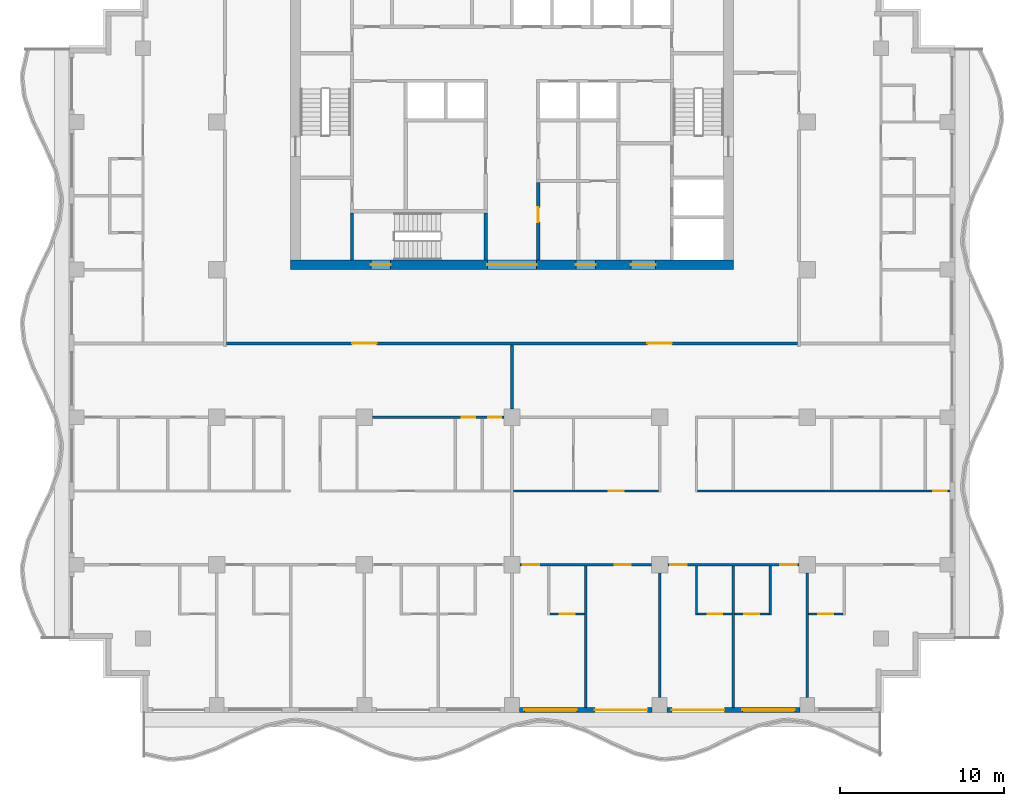
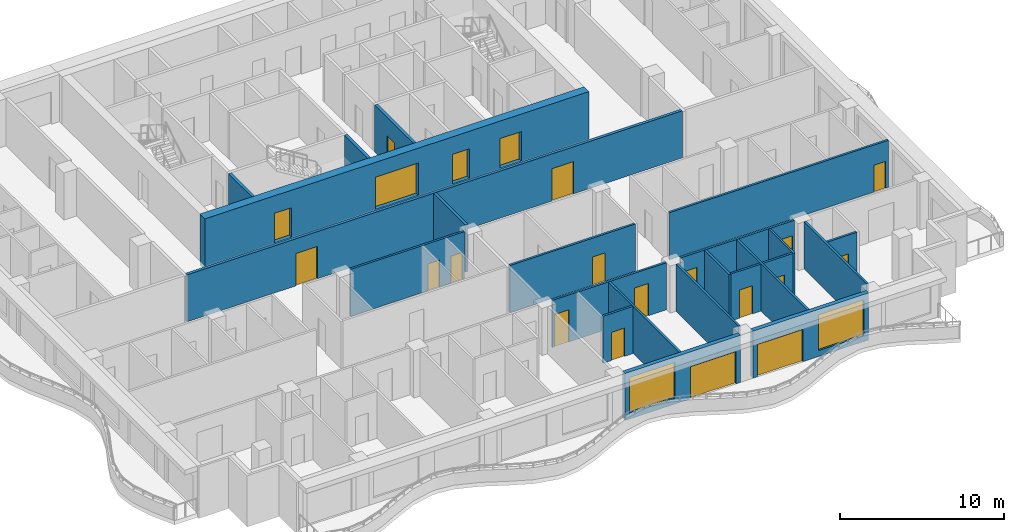
# One storey, part 3 of 11: 23 walls, 21 doors, 2 windows, 23 openings.
"""IFC4 building model written with IfcOpenShell, lengths in metres."""

from ifc_helpers import new_model, si_unit, direction, frame, frame_2d, origin, place, context, subcontext, project, spatial, rectangle, extrude, material, layer, layer_set, type_object, element, fill, save


model = new_model("IFC4")

# Units and contexts
model_context = context("Model", 3, precision=1e-05, world=origin(), true_north=direction((0.0, 1.0)))
body_context = subcontext(model_context, "Body", "Model", "MODEL_VIEW")
ifc_project = project(units=[si_unit("LENGTHUNIT", "METRE"), si_unit("AREAUNIT", "SQUARE_METRE"), si_unit("VOLUMEUNIT", "CUBIC_METRE"), si_unit("PLANEANGLEUNIT", "RADIAN"), si_unit("MASSUNIT", "GRAM", prefix="KILO")], contexts=[model_context])

# Site, building, storey
site_placement = place(None, origin())
site = spatial("IfcSite", under=ifc_project, at=site_placement, CompositionType="ELEMENT")
building_placement = place(site_placement, origin())
building = spatial("IfcBuilding", under=site, at=building_placement, Name="Orbiselva Terraces", CompositionType="ELEMENT")
storey_placement = place(building_placement, frame((0.0, 0.0, 246.4)))
storey = spatial("IfcBuildingStorey", under=building, at=storey_placement, Name="L62", CompositionType="ELEMENT", Elevation=246.4)

# Wall, openings, doors
ifc_material_1 = material(Name="Concrete C80/95", Category="concrete")
ifc_layer_1 = layer(ifc_material_1, 0.6)
ifc_layer_set_1 = layer_set([ifc_layer_1], Name="Concrete C80/95")
wall_type_1 = type_object("IfcWallType", Name="CORE WALL 600", PredefinedType="SHEAR", material=ifc_layer_set_1)
wall_1_placement = place(storey_placement, frame((-13.5, 4.8, -0.3), z_axis=(0.0, 0.0, 1.0), x_axis=(1.0, 0.0, 0.0)))
wall_1 = element("IfcWall", 1, at=wall_1_placement, inside=storey, type_object=wall_type_1, Name="Core wall L62 south", PredefinedType="SHEAR", context=body_context, shape_type="SweptSolid", body=[
    extrude(rectangle(XDim=27.0, YDim=0.6, at=frame_2d((13.5, 0.0))), origin(), (0.0, 0.0, 1.0), 3.8),
])
opening_1_placement = place(wall_1_placement, frame((12.0, 0.0, 0.3)))
opening_1 = element("IfcOpeningElement", 2, at=opening_1_placement, cuts=wall_1, Name="Opening DL3000", PredefinedType="OPENING", context=body_context, shape_type="SweptSolid", body=[
    extrude(rectangle(XDim=3.0, YDim=2.4, at=frame_2d((1.5, 1.2))), frame((0.0, 0.31, 0.0), z_axis=(0.0, -1.0, 0.0), x_axis=(1.0, 0.0, 0.0)), (0.0, 0.0, 1.0), 0.62),
])
opening_2_placement = place(wall_1_placement, frame((4.9, 0.0, 0.3)))
opening_2 = element("IfcOpeningElement", 3, at=opening_2_placement, cuts=wall_1, Name="Opening DS1200", PredefinedType="OPENING", context=body_context, shape_type="SweptSolid", body=[
    extrude(rectangle(XDim=1.2, YDim=2.2, at=frame_2d((0.6, 1.1))), frame((0.0, 0.31, 0.0), z_axis=(0.0, -1.0, 0.0), x_axis=(1.0, 0.0, 0.0)), (0.0, 0.0, 1.0), 0.62),
])
opening_3_placement = place(wall_1_placement, frame((20.75, 0.0, 0.3)))
opening_3 = element("IfcOpeningElement", 4, at=opening_3_placement, cuts=wall_1, Name="Opening DF1500", PredefinedType="OPENING", context=body_context, shape_type="SweptSolid", body=[
    extrude(rectangle(XDim=1.5, YDim=2.2, at=frame_2d((0.75, 1.1))), frame((0.0, 0.31, 0.0), z_axis=(0.0, -1.0, 0.0), x_axis=(1.0, 0.0, 0.0)), (0.0, 0.0, 1.0), 0.62),
])
opening_4_placement = place(wall_1_placement, frame((17.4, 0.0, 0.3)))
opening_4 = element("IfcOpeningElement", 5, at=opening_4_placement, cuts=wall_1, Name="Opening DV1200", PredefinedType="OPENING", context=body_context, shape_type="SweptSolid", body=[
    extrude(rectangle(XDim=1.2, YDim=2.2, at=frame_2d((0.6, 1.1))), frame((0.0, 0.31, 0.0), z_axis=(0.0, -1.0, 0.0), x_axis=(1.0, 0.0, 0.0)), (0.0, 0.0, 1.0), 0.62),
])
ifc_material_2 = material(Name="Steel fire door", Category="steel")
door_type_1 = type_object("IfcDoorType", Name="FFL DOOR 1500", OperationType="DOUBLE_DOOR_SINGLE_SWING", PredefinedType="DOOR", material=ifc_material_2)
door_1_placement = place(opening_3_placement, frame((1.5, 0.0, 0.0), z_axis=(0.0, 0.0, 1.0), x_axis=(-1.0, 0.0, 0.0)))
door_1 = element("IfcDoor", 6, at=door_1_placement, inside=storey, type_object=door_type_1, Name="L62 FIRE-FIGHTING LOBBY door", OperationType="DOUBLE_DOOR_SINGLE_SWING", OverallHeight=2.2, OverallWidth=1.5, PredefinedType="DOOR", context=body_context, shape_type="SweptSolid", body=[
    extrude(rectangle(XDim=1.5, YDim=2.2, at=frame_2d((0.75, 1.1))), frame((0.0, 0.025, 0.0), z_axis=(0.0, -1.0, 0.0), x_axis=(1.0, 0.0, 0.0)), (0.0, 0.0, 1.0), 0.05),
])
fill(opening_3, door_1)
door_type_2 = type_object("IfcDoorType", Name="LOBBY DOOR 3000", OperationType="DOUBLE_DOOR_SINGLE_SWING", PredefinedType="DOOR", material=ifc_material_2)
door_2_placement = place(opening_1_placement, frame((3.0, 0.0, 0.0), z_axis=(0.0, 0.0, 1.0), x_axis=(-1.0, 0.0, 0.0)))
door_2 = element("IfcDoor", 7, at=door_2_placement, inside=storey, type_object=door_type_2, Name="L62 LIFT LOBBY door", OperationType="DOUBLE_DOOR_SINGLE_SWING", OverallHeight=2.4, OverallWidth=3.0, PredefinedType="DOOR", context=body_context, shape_type="SweptSolid", body=[
    extrude(rectangle(XDim=3.0, YDim=2.4, at=frame_2d((1.5, 1.2))), frame((0.0, 0.025, 0.0), z_axis=(0.0, -1.0, 0.0), x_axis=(1.0, 0.0, 0.0)), (0.0, 0.0, 1.0), 0.05),
])
fill(opening_1, door_2)
door_type_3 = type_object("IfcDoorType", Name="SERVICE DOOR 1200", OperationType="NOTDEFINED", PredefinedType="DOOR", material=ifc_material_2)
door_3_placement = place(opening_4_placement, frame((1.2, 0.0, 0.0), z_axis=(0.0, 0.0, 1.0), x_axis=(-1.0, 0.0, 0.0)))
door_3 = element("IfcDoor", 8, at=door_3_placement, inside=storey, type_object=door_type_3, Name="L62 SPARE PARTS STORE door", OperationType="SINGLE_SWING_RIGHT", OverallHeight=2.2, OverallWidth=1.2, PredefinedType="DOOR", context=body_context, shape_type="SweptSolid", body=[
    extrude(rectangle(XDim=1.2, YDim=2.2, at=frame_2d((0.6, 1.1))), frame((0.0, 0.025, 0.0), z_axis=(0.0, -1.0, 0.0), x_axis=(1.0, 0.0, 0.0)), (0.0, 0.0, 1.0), 0.05),
])
fill(opening_4, door_3)
door_type_4 = type_object("IfcDoorType", Name="STAIR DOOR 1200", OperationType="NOTDEFINED", PredefinedType="DOOR", material=ifc_material_2)
door_4_placement = place(opening_2_placement, frame((1.2, 0.0, 0.0), z_axis=(0.0, 0.0, 1.0), x_axis=(-1.0, 0.0, 0.0)))
door_4 = element("IfcDoor", 9, at=door_4_placement, inside=storey, type_object=door_type_4, Name="L62 EXIT STAIR S3 door", OperationType="SINGLE_SWING_LEFT", OverallHeight=2.2, OverallWidth=1.2, PredefinedType="DOOR", context=body_context, shape_type="SweptSolid", body=[
    extrude(rectangle(XDim=1.2, YDim=2.2, at=frame_2d((0.6, 1.1))), frame((0.0, 0.025, 0.0), z_axis=(0.0, -1.0, 0.0), x_axis=(1.0, 0.0, 0.0)), (0.0, 0.0, 1.0), 0.05),
])
fill(opening_2, door_4)

# Walls
ifc_material_3 = material(Name="Concrete C60/75", Category="concrete")
ifc_layer_2 = layer(ifc_material_3, 0.2)
ifc_layer_set_2 = layer_set([ifc_layer_2], Name="Concrete C60/75")
wall_type_2 = type_object("IfcWallType", Name="CORE-WALL-SHEAR-200", PredefinedType="SHEAR", material=ifc_layer_set_2)
for number, where, z_axis, x_axis, name in (
    (10, (-9.75, 5.1, 0.0), (0.0, 0.0, 1.0), (0.0, 1.0, 0.0), "L62 core wall 03"),
    (11, (-1.6, 5.1, 0.0), (0.0, 0.0, 1.0), (0.0, 1.0, 0.0), "L62 core wall 18"),
):
    element("IfcWall", number, at=place(storey_placement, frame(where, z_axis=z_axis, x_axis=x_axis)), inside=storey, type_object=wall_type_2, Name=name, PredefinedType="SHEAR", context=body_context, shape_type="SweptSolid", body=[
        extrude(rectangle(XDim=2.85, YDim=0.2, at=frame_2d((1.425, 0.0))), origin(), (0.0, 0.0, 1.0), 3.5),
    ])

# Wall, opening, door
wall_2_placement = place(storey_placement, frame((1.6, 9.8, 0.0), z_axis=(0.0, 0.0, 1.0), x_axis=(0.0, -1.0, 0.0)))
wall_2 = element("IfcWall", 12, at=wall_2_placement, inside=storey, type_object=wall_type_2, Name="L62 core wall 22", PredefinedType="SHEAR", context=body_context, shape_type="SweptSolid", body=[
    extrude(rectangle(XDim=4.7, YDim=0.2, at=frame_2d((2.35, 0.0))), origin(), (0.0, 0.0, 1.0), 3.5),
])
opening_5_placement = place(wall_2_placement, frame((1.5, 0.0, 0.0)))
opening_5 = element("IfcOpeningElement", 13, at=opening_5_placement, cuts=wall_2, Name="Opening DR900", PredefinedType="OPENING", context=body_context, shape_type="SweptSolid", body=[
    extrude(rectangle(XDim=0.9, YDim=2.1, at=frame_2d((0.45, 1.05))), frame((0.0, 0.11, 0.0), z_axis=(0.0, -1.0, 0.0), x_axis=(1.0, 0.0, 0.0)), (0.0, 0.0, 1.0), 0.22),
])
door_type_5 = type_object("IfcDoorType", Name="ROOM DOOR 900", OperationType="NOTDEFINED", PredefinedType="DOOR", material=ifc_material_2)
door_5_placement = place(opening_5_placement, origin())
door_5 = element("IfcDoor", 14, at=door_5_placement, inside=storey, type_object=door_type_5, Name="L62 ELECTRICAL ROOM door", OperationType="SINGLE_SWING_LEFT", OverallHeight=2.1, OverallWidth=0.9, PredefinedType="DOOR", context=body_context, shape_type="SweptSolid", body=[
    extrude(rectangle(XDim=0.9, YDim=2.1, at=frame_2d((0.45, 1.05))), frame((0.0, 0.025, 0.0), z_axis=(0.0, -1.0, 0.0), x_axis=(1.0, 0.0, 0.0)), (0.0, 0.0, 1.0), 0.05),
])
fill(opening_5, door_5)

# Wall, openings, door, window
ifc_material_4 = material(Name="Terracotta cladding on masonry backing", Category="masonry")
ifc_layer_3 = layer(ifc_material_4, 0.3)
ifc_layer_set_3 = layer_set([ifc_layer_3], Name="Terracotta cladding on masonry backing")
wall_type_3 = type_object("IfcWallType", Name="ENV-WALL-TERRACOTTA-300", PredefinedType="SOLIDWALL", material=ifc_layer_set_3)
wall_3_placement = place(storey_placement, frame((8.55, -22.35, 0.0), z_axis=(0.0, 0.0, 1.0), x_axis=(-1.0, 0.0, 0.0)))
wall_3 = element("IfcWall", 15, at=wall_3_placement, inside=storey, type_object=wall_type_3, Name="Facade wall L62 S", PredefinedType="SOLIDWALL", context=body_context, shape_type="SweptSolid", body=[
    extrude(rectangle(XDim=8.1, YDim=0.3, at=frame_2d((4.05, 0.0))), origin(), (0.0, 0.0, 1.0), 3.5),
])
opening_6_placement = place(wall_3_placement, frame((4.6, 0.0, 0.45)))
opening_6 = element("IfcOpeningElement", 16, at=opening_6_placement, cuts=wall_3, Name="Opening WN17", PredefinedType="OPENING", context=body_context, shape_type="SweptSolid", body=[
    extrude(rectangle(XDim=3.2, YDim=2.65, at=frame_2d((1.6, 1.325))), frame((0.0, 0.16, 0.0), z_axis=(0.0, -1.0, 0.0), x_axis=(1.0, 0.0, 0.0)), (0.0, 0.0, 1.0), 0.32),
])
opening_7_placement = place(wall_3_placement, frame((0.3, 0.0, 0.0)))
opening_7 = element("IfcOpeningElement", 17, at=opening_7_placement, cuts=wall_3, Name="Opening Z5-A-E19", PredefinedType="OPENING", context=body_context, shape_type="SweptSolid", body=[
    extrude(rectangle(XDim=3.2, YDim=2.4, at=frame_2d((1.6, 1.2))), frame((0.0, 0.16, 0.0), z_axis=(0.0, -1.0, 0.0), x_axis=(1.0, 0.0, 0.0)), (0.0, 0.0, 1.0), 0.32),
])
ifc_material_5 = material(Name="Clear low-e glazing in aluminium frame", Category="aluminium")
door_type_6 = type_object("IfcDoorType", Name="BALCONY DOOR 3200 X 2400", OperationType="DOUBLE_DOOR_SLIDING", PredefinedType="DOOR", material=ifc_material_5)
door_6_placement = place(opening_7_placement, origin())
door_6 = element("IfcDoor", 18, at=door_6_placement, inside=storey, type_object=door_type_6, Name="Z5-A-E19", OperationType="SINGLE_SWING_LEFT", OverallHeight=2.4, OverallWidth=3.2, PredefinedType="DOOR", context=body_context, shape_type="SweptSolid", body=[
    extrude(rectangle(XDim=3.2, YDim=2.4, at=frame_2d((1.6, 1.2))), frame((0.0, 0.025, 0.0), z_axis=(0.0, -1.0, 0.0), x_axis=(1.0, 0.0, 0.0)), (0.0, 0.0, 1.0), 0.05),
])
fill(opening_7, door_6)
window_type = type_object("IfcWindowType", Name="WINDOW 3200 X 2650 S450", PartitioningType="TRIPLE_PANEL_VERTICAL", PredefinedType="WINDOW", material=ifc_material_5)
window_1_placement = place(opening_6_placement, origin())
window_1 = element("IfcWindow", 19, at=window_1_placement, inside=storey, type_object=window_type, Name="Window L62 S", OverallHeight=2.65, OverallWidth=3.2, PartitioningType="SINGLE_PANEL", PredefinedType="WINDOW", context=body_context, shape_type="SweptSolid", body=[
    extrude(rectangle(XDim=3.2, YDim=2.65, at=frame_2d((1.6, 1.325))), frame((0.0, 0.03, 0.0), z_axis=(0.0, -1.0, 0.0), x_axis=(1.0, 0.0, 0.0)), (0.0, 0.0, 1.0), 0.06),
])
fill(opening_6, window_1)

wall_4_placement = place(storey_placement, frame((17.55, -22.35, 0.0), z_axis=(0.0, 0.0, 1.0), x_axis=(-1.0, 0.0, 0.0)))
wall_4 = element("IfcWall", 20, at=wall_4_placement, inside=storey, type_object=wall_type_3, Name="Facade wall L62 S", PredefinedType="SOLIDWALL", context=body_context, shape_type="SweptSolid", body=[
    extrude(rectangle(XDim=8.1, YDim=0.3, at=frame_2d((4.05, 0.0))), origin(), (0.0, 0.0, 1.0), 3.5),
])
opening_8_placement = place(wall_4_placement, frame((4.6, 0.0, 0.0)))
opening_8 = element("IfcOpeningElement", 21, at=opening_8_placement, cuts=wall_4, Name="Opening Z5-A-E03", PredefinedType="OPENING", context=body_context, shape_type="SweptSolid", body=[
    extrude(rectangle(XDim=3.2, YDim=2.4, at=frame_2d((1.6, 1.2))), frame((0.0, 0.16, 0.0), z_axis=(0.0, -1.0, 0.0), x_axis=(1.0, 0.0, 0.0)), (0.0, 0.0, 1.0), 0.32),
])
opening_9_placement = place(wall_4_placement, frame((0.3, 0.0, 0.45)))
opening_9 = element("IfcOpeningElement", 22, at=opening_9_placement, cuts=wall_4, Name="Opening WN17", PredefinedType="OPENING", context=body_context, shape_type="SweptSolid", body=[
    extrude(rectangle(XDim=3.2, YDim=2.65, at=frame_2d((1.6, 1.325))), frame((0.0, 0.16, 0.0), z_axis=(0.0, -1.0, 0.0), x_axis=(1.0, 0.0, 0.0)), (0.0, 0.0, 1.0), 0.32),
])
door_7_placement = place(opening_8_placement, origin())
door_7 = element("IfcDoor", 23, at=door_7_placement, inside=storey, type_object=door_type_6, Name="Z5-A-E03", OperationType="SINGLE_SWING_LEFT", OverallHeight=2.4, OverallWidth=3.2, PredefinedType="DOOR", context=body_context, shape_type="SweptSolid", body=[
    extrude(rectangle(XDim=3.2, YDim=2.4, at=frame_2d((1.6, 1.2))), frame((0.0, 0.025, 0.0), z_axis=(0.0, -1.0, 0.0), x_axis=(1.0, 0.0, 0.0)), (0.0, 0.0, 1.0), 0.05),
])
fill(opening_8, door_7)
window_2_placement = place(opening_9_placement, origin())
window_2 = element("IfcWindow", 24, at=window_2_placement, inside=storey, type_object=window_type, Name="Window L62 S", OverallHeight=2.65, OverallWidth=3.2, PartitioningType="SINGLE_PANEL", PredefinedType="WINDOW", context=body_context, shape_type="SweptSolid", body=[
    extrude(rectangle(XDim=3.2, YDim=2.65, at=frame_2d((1.6, 1.325))), frame((0.0, 0.03, 0.0), z_axis=(0.0, -1.0, 0.0), x_axis=(1.0, 0.0, 0.0)), (0.0, 0.0, 1.0), 0.06),
])
fill(opening_9, window_2)

# Wall, openings, doors
ifc_material_6 = material(Name="Plasterboard on steel stud partition", Category="steel")
ifc_layer_4 = layer(ifc_material_6, 0.2)
ifc_layer_set_4 = layer_set([ifc_layer_4], Name="Plasterboard on steel stud partition")
wall_type_4 = type_object("IfcWallType", Name="UNIT-ENTRANCE-WALL-200", PredefinedType="PARTITIONING", material=ifc_layer_set_4)
wall_5_placement = place(storey_placement, frame((17.4, 0.0, 0.0), z_axis=(0.0, 0.0, 1.0), x_axis=(-1.0, 0.0, 0.0)))
wall_5 = element("IfcWall", 25, at=wall_5_placement, inside=storey, type_object=wall_type_4, Name="PARTITION L62-026", PredefinedType="PARTITIONING", context=body_context, shape_type="SweptSolid", body=[
    extrude(rectangle(XDim=34.8, YDim=0.2, at=frame_2d((17.4, 0.0))), origin(), (0.0, 0.0, 1.0), 3.5),
])
opening_10_placement = place(wall_5_placement, frame((25.65, 0.0, 0.0)))
opening_10 = element("IfcOpeningElement", 26, at=opening_10_placement, cuts=wall_5, Name="Opening Z5-A-16", PredefinedType="OPENING", context=body_context, shape_type="SweptSolid", body=[
    extrude(rectangle(XDim=1.5, YDim=2.4, at=frame_2d((0.75, 1.2))), frame((0.0, 0.11, 0.0), z_axis=(0.0, -1.0, 0.0), x_axis=(1.0, 0.0, 0.0)), (0.0, 0.0, 1.0), 0.22),
])
opening_11_placement = place(wall_5_placement, frame((7.65, 0.0, 0.0)))
opening_11 = element("IfcOpeningElement", 27, at=opening_11_placement, cuts=wall_5, Name="Opening Z5-A-35", PredefinedType="OPENING", context=body_context, shape_type="SweptSolid", body=[
    extrude(rectangle(XDim=1.5, YDim=2.4, at=frame_2d((0.75, 1.2))), frame((0.0, 0.11, 0.0), z_axis=(0.0, -1.0, 0.0), x_axis=(1.0, 0.0, 0.0)), (0.0, 0.0, 1.0), 0.22),
])
ifc_material_7 = material(Name="Painted timber door leaf", Category="wood")
door_type_7 = type_object("IfcDoorType", Name="ENTRANCE DOUBLE DOOR 1500", OperationType="NOTDEFINED", PredefinedType="DOOR", material=ifc_material_7)
door_8_placement = place(opening_10_placement, origin())
door_8 = element("IfcDoor", 28, at=door_8_placement, inside=storey, type_object=door_type_7, Name="Z5-A-16", OperationType="DOUBLE_DOOR_SINGLE_SWING", OverallHeight=2.4, OverallWidth=1.5, PredefinedType="DOOR", context=body_context, shape_type="SweptSolid", body=[
    extrude(rectangle(XDim=1.5, YDim=2.4, at=frame_2d((0.75, 1.2))), frame((0.0, 0.025, 0.0), z_axis=(0.0, -1.0, 0.0), x_axis=(1.0, 0.0, 0.0)), (0.0, 0.0, 1.0), 0.05),
])
fill(opening_10, door_8)
door_9_placement = place(opening_11_placement, origin())
door_9 = element("IfcDoor", 29, at=door_9_placement, inside=storey, type_object=door_type_7, Name="Z5-A-35", OperationType="DOUBLE_DOOR_SINGLE_SWING", OverallHeight=2.4, OverallWidth=1.5, PredefinedType="DOOR", context=body_context, shape_type="SweptSolid", body=[
    extrude(rectangle(XDim=1.5, YDim=2.4, at=frame_2d((0.75, 1.2))), frame((0.0, 0.025, 0.0), z_axis=(0.0, -1.0, 0.0), x_axis=(1.0, 0.0, 0.0)), (0.0, 0.0, 1.0), 0.05),
])
fill(opening_11, door_9)

# Wall, opening, door
ifc_layer_5 = layer(ifc_material_6, 0.15)
ifc_layer_set_5 = layer_set([ifc_layer_5], Name="Plasterboard on steel stud partition")
wall_type_5 = type_object("IfcWallType", Name="UNIT-PARTITION-150", PredefinedType="PARTITIONING", material=ifc_layer_set_5)
wall_6_placement = place(storey_placement, frame((2.325, -16.5, 0.0), z_axis=(0.0, 0.0, 1.0), x_axis=(1.0, 0.0, 0.0)))
wall_6 = element("IfcWall", 30, at=wall_6_placement, inside=storey, type_object=wall_type_5, Name="PARTITION L62-005", PredefinedType="PARTITIONING", context=body_context, shape_type="SweptSolid", body=[
    extrude(rectangle(XDim=2.1, YDim=0.15, at=frame_2d((1.05, 0.0))), origin(), (0.0, 0.0, 1.0), 3.5),
])
opening_12_placement = place(wall_6_placement, frame((0.6, 0.0, 0.0)))
opening_12 = element("IfcOpeningElement", 31, at=opening_12_placement, cuts=wall_6, Name="Opening Z5-A-51", PredefinedType="OPENING", context=body_context, shape_type="SweptSolid", body=[
    extrude(rectangle(XDim=0.9, YDim=2.1, at=frame_2d((0.45, 1.05))), frame((0.0, 0.085, 0.0), z_axis=(0.0, -1.0, 0.0), x_axis=(1.0, 0.0, 0.0)), (0.0, 0.0, 1.0), 0.17),
])
door_type_8 = type_object("IfcDoorType", Name="BATH DOOR 900", OperationType="NOTDEFINED", PredefinedType="DOOR", material=ifc_material_7)
door_10_placement = place(opening_12_placement, origin())
door_10 = element("IfcDoor", 32, at=door_10_placement, inside=storey, type_object=door_type_8, Name="Z5-A-51", OperationType="SINGLE_SWING_RIGHT", OverallHeight=2.1, OverallWidth=0.9, PredefinedType="DOOR", context=body_context, shape_type="SweptSolid", body=[
    extrude(rectangle(XDim=0.9, YDim=2.1, at=frame_2d((0.45, 1.05))), frame((0.0, 0.025, 0.0), z_axis=(0.0, -1.0, 0.0), x_axis=(1.0, 0.0, 0.0)), (0.0, 0.0, 1.0), 0.05),
])
fill(opening_12, door_10)

wall_7_placement = place(storey_placement, frame((11.325, -16.5, 0.0), z_axis=(0.0, 0.0, 1.0), x_axis=(1.0, 0.0, 0.0)))
wall_7 = element("IfcWall", 33, at=wall_7_placement, inside=storey, type_object=wall_type_5, Name="PARTITION L62-006", PredefinedType="PARTITIONING", context=body_context, shape_type="SweptSolid", body=[
    extrude(rectangle(XDim=2.1, YDim=0.15, at=frame_2d((1.05, 0.0))), origin(), (0.0, 0.0, 1.0), 3.5),
])
opening_13_placement = place(wall_7_placement, frame((0.6, 0.0, 0.0)))
opening_13 = element("IfcOpeningElement", 34, at=opening_13_placement, cuts=wall_7, Name="Opening Z5-A-48", PredefinedType="OPENING", context=body_context, shape_type="SweptSolid", body=[
    extrude(rectangle(XDim=0.9, YDim=2.1, at=frame_2d((0.45, 1.05))), frame((0.0, 0.085, 0.0), z_axis=(0.0, -1.0, 0.0), x_axis=(1.0, 0.0, 0.0)), (0.0, 0.0, 1.0), 0.17),
])
door_11_placement = place(opening_13_placement, origin())
door_11 = element("IfcDoor", 35, at=door_11_placement, inside=storey, type_object=door_type_8, Name="Z5-A-48", OperationType="SINGLE_SWING_LEFT", OverallHeight=2.1, OverallWidth=0.9, PredefinedType="DOOR", context=body_context, shape_type="SweptSolid", body=[
    extrude(rectangle(XDim=0.9, YDim=2.1, at=frame_2d((0.45, 1.05))), frame((0.0, 0.025, 0.0), z_axis=(0.0, -1.0, 0.0), x_axis=(1.0, 0.0, 0.0)), (0.0, 0.0, 1.0), 0.05),
])
fill(opening_13, door_11)

wall_8_placement = place(storey_placement, frame((13.575, -16.5, 0.0), z_axis=(0.0, 0.0, 1.0), x_axis=(1.0, 0.0, 0.0)))
wall_8 = element("IfcWall", 36, at=wall_8_placement, inside=storey, type_object=wall_type_5, Name="PARTITION L62-007", PredefinedType="PARTITIONING", context=body_context, shape_type="SweptSolid", body=[
    extrude(rectangle(XDim=2.1, YDim=0.15, at=frame_2d((1.05, 0.0))), origin(), (0.0, 0.0, 1.0), 3.5),
])
opening_14_placement = place(wall_8_placement, frame((0.6, 0.0, 0.0)))
opening_14 = element("IfcOpeningElement", 37, at=opening_14_placement, cuts=wall_8, Name="Opening Z5-A-46", PredefinedType="OPENING", context=body_context, shape_type="SweptSolid", body=[
    extrude(rectangle(XDim=0.9, YDim=2.1, at=frame_2d((0.45, 1.05))), frame((0.0, 0.085, 0.0), z_axis=(0.0, -1.0, 0.0), x_axis=(1.0, 0.0, 0.0)), (0.0, 0.0, 1.0), 0.17),
])
door_12_placement = place(opening_14_placement, origin())
door_12 = element("IfcDoor", 38, at=door_12_placement, inside=storey, type_object=door_type_8, Name="Z5-A-46", OperationType="SINGLE_SWING_LEFT", OverallHeight=2.1, OverallWidth=0.9, PredefinedType="DOOR", context=body_context, shape_type="SweptSolid", body=[
    extrude(rectangle(XDim=0.9, YDim=2.1, at=frame_2d((0.45, 1.05))), frame((0.0, 0.025, 0.0), z_axis=(0.0, -1.0, 0.0), x_axis=(1.0, 0.0, 0.0)), (0.0, 0.0, 1.0), 0.05),
])
fill(opening_14, door_12)

wall_9_placement = place(storey_placement, frame((18.075, -16.5, 0.0), z_axis=(0.0, 0.0, 1.0), x_axis=(1.0, 0.0, 0.0)))
wall_9 = element("IfcWall", 39, at=wall_9_placement, inside=storey, type_object=wall_type_5, Name="PARTITION L62-008", PredefinedType="PARTITIONING", context=body_context, shape_type="SweptSolid", body=[
    extrude(rectangle(XDim=2.1, YDim=0.15, at=frame_2d((1.05, 0.0))), origin(), (0.0, 0.0, 1.0), 3.5),
])
opening_15_placement = place(wall_9_placement, frame((0.6, 0.0, 0.0)))
opening_15 = element("IfcOpeningElement", 40, at=opening_15_placement, cuts=wall_9, Name="Opening Z5-A-44", PredefinedType="OPENING", context=body_context, shape_type="SweptSolid", body=[
    extrude(rectangle(XDim=0.9, YDim=2.1, at=frame_2d((0.45, 1.05))), frame((0.0, 0.085, 0.0), z_axis=(0.0, -1.0, 0.0), x_axis=(1.0, 0.0, 0.0)), (0.0, 0.0, 1.0), 0.17),
])
door_13_placement = place(opening_15_placement, origin())
door_13 = element("IfcDoor", 41, at=door_13_placement, inside=storey, type_object=door_type_8, Name="Z5-A-44", OperationType="SINGLE_SWING_LEFT", OverallHeight=2.1, OverallWidth=0.9, PredefinedType="DOOR", context=body_context, shape_type="SweptSolid", body=[
    extrude(rectangle(XDim=0.9, YDim=2.1, at=frame_2d((0.45, 1.05))), frame((0.0, 0.025, 0.0), z_axis=(0.0, -1.0, 0.0), x_axis=(1.0, 0.0, 0.0)), (0.0, 0.0, 1.0), 0.05),
])
fill(opening_15, door_13)

# Wall, openings, doors
wall_10_placement = place(storey_placement, frame((8.5, -13.5, 0.0), z_axis=(0.0, 0.0, 1.0), x_axis=(-1.0, 0.0, 0.0)))
wall_10 = element("IfcWall", 42, at=wall_10_placement, inside=storey, type_object=wall_type_5, Name="PARTITION L62-012", PredefinedType="PARTITIONING", context=body_context, shape_type="SweptSolid", body=[
    extrude(rectangle(XDim=8.0, YDim=0.15, at=frame_2d((4.0, 0.0))), origin(), (0.0, 0.0, 1.0), 3.5),
])
opening_16_placement = place(wall_10_placement, frame((1.25, 0.0, 0.0)))
opening_16 = element("IfcOpeningElement", 43, at=opening_16_placement, cuts=wall_10, Name="Opening Z5-A-49", PredefinedType="OPENING", context=body_context, shape_type="SweptSolid", body=[
    extrude(rectangle(XDim=1.0, YDim=2.4, at=frame_2d((0.5, 1.2))), frame((0.0, 0.085, 0.0), z_axis=(0.0, -1.0, 0.0), x_axis=(1.0, 0.0, 0.0)), (0.0, 0.0, 1.0), 0.17),
])
opening_17_placement = place(wall_10_placement, frame((6.85, 0.0, 0.0)))
opening_17 = element("IfcOpeningElement", 44, at=opening_17_placement, cuts=wall_10, Name="Opening Z5-A-50", PredefinedType="OPENING", context=body_context, shape_type="SweptSolid", body=[
    extrude(rectangle(XDim=1.0, YDim=2.4, at=frame_2d((0.5, 1.2))), frame((0.0, 0.085, 0.0), z_axis=(0.0, -1.0, 0.0), x_axis=(1.0, 0.0, 0.0)), (0.0, 0.0, 1.0), 0.17),
])
door_type_9 = type_object("IfcDoorType", Name="ROOM DOOR 1000", OperationType="NOTDEFINED", PredefinedType="DOOR", material=ifc_material_7)
door_14_placement = place(opening_16_placement, origin())
door_14 = element("IfcDoor", 45, at=door_14_placement, inside=storey, type_object=door_type_9, Name="Z5-A-49", OperationType="SINGLE_SWING_LEFT", OverallHeight=2.4, OverallWidth=1.0, PredefinedType="DOOR", context=body_context, shape_type="SweptSolid", body=[
    extrude(rectangle(XDim=1.0, YDim=2.4, at=frame_2d((0.5, 1.2))), frame((0.0, 0.025, 0.0), z_axis=(0.0, -1.0, 0.0), x_axis=(1.0, 0.0, 0.0)), (0.0, 0.0, 1.0), 0.05),
])
fill(opening_16, door_14)
door_15_placement = place(opening_17_placement, origin())
door_15 = element("IfcDoor", 46, at=door_15_placement, inside=storey, type_object=door_type_9, Name="Z5-A-50", OperationType="SINGLE_SWING_RIGHT", OverallHeight=2.4, OverallWidth=1.0, PredefinedType="DOOR", context=body_context, shape_type="SweptSolid", body=[
    extrude(rectangle(XDim=1.0, YDim=2.4, at=frame_2d((0.5, 1.2))), frame((0.0, 0.025, 0.0), z_axis=(0.0, -1.0, 0.0), x_axis=(1.0, 0.0, 0.0)), (0.0, 0.0, 1.0), 0.05),
])
fill(opening_17, door_15)

wall_11_placement = place(storey_placement, frame((17.5, -13.5, 0.0), z_axis=(0.0, 0.0, 1.0), x_axis=(-1.0, 0.0, 0.0)))
wall_11 = element("IfcWall", 47, at=wall_11_placement, inside=storey, type_object=wall_type_5, Name="PARTITION L62-013", PredefinedType="PARTITIONING", context=body_context, shape_type="SweptSolid", body=[
    extrude(rectangle(XDim=8.0, YDim=0.15, at=frame_2d((4.0, 0.0))), origin(), (0.0, 0.0, 1.0), 3.5),
])
opening_18_placement = place(wall_11_placement, frame((0.15, 0.0, 0.0)))
opening_18 = element("IfcOpeningElement", 48, at=opening_18_placement, cuts=wall_11, Name="Opening Z5-A-45", PredefinedType="OPENING", context=body_context, shape_type="SweptSolid", body=[
    extrude(rectangle(XDim=1.0, YDim=2.4, at=frame_2d((0.5, 1.2))), frame((0.0, 0.085, 0.0), z_axis=(0.0, -1.0, 0.0), x_axis=(1.0, 0.0, 0.0)), (0.0, 0.0, 1.0), 0.17),
])
opening_19_placement = place(wall_11_placement, frame((6.85, 0.0, 0.0)))
opening_19 = element("IfcOpeningElement", 49, at=opening_19_placement, cuts=wall_11, Name="Opening Z5-A-47", PredefinedType="OPENING", context=body_context, shape_type="SweptSolid", body=[
    extrude(rectangle(XDim=1.0, YDim=2.4, at=frame_2d((0.5, 1.2))), frame((0.0, 0.085, 0.0), z_axis=(0.0, -1.0, 0.0), x_axis=(1.0, 0.0, 0.0)), (0.0, 0.0, 1.0), 0.17),
])
door_16_placement = place(opening_18_placement, origin())
door_16 = element("IfcDoor", 50, at=door_16_placement, inside=storey, type_object=door_type_9, Name="Z5-A-45", OperationType="SINGLE_SWING_LEFT", OverallHeight=2.4, OverallWidth=1.0, PredefinedType="DOOR", context=body_context, shape_type="SweptSolid", body=[
    extrude(rectangle(XDim=1.0, YDim=2.4, at=frame_2d((0.5, 1.2))), frame((0.0, 0.025, 0.0), z_axis=(0.0, -1.0, 0.0), x_axis=(1.0, 0.0, 0.0)), (0.0, 0.0, 1.0), 0.05),
])
fill(opening_18, door_16)
door_17_placement = place(opening_19_placement, origin())
door_17 = element("IfcDoor", 51, at=door_17_placement, inside=storey, type_object=door_type_9, Name="Z5-A-47", OperationType="SINGLE_SWING_RIGHT", OverallHeight=2.4, OverallWidth=1.0, PredefinedType="DOOR", context=body_context, shape_type="SweptSolid", body=[
    extrude(rectangle(XDim=1.0, YDim=2.4, at=frame_2d((0.5, 1.2))), frame((0.0, 0.025, 0.0), z_axis=(0.0, -1.0, 0.0), x_axis=(1.0, 0.0, 0.0)), (0.0, 0.0, 1.0), 0.05),
])
fill(opening_19, door_17)

# Wall, opening, door
wall_12_placement = place(storey_placement, frame((0.1, -9.0, 0.0), z_axis=(0.0, 0.0, 1.0), x_axis=(1.0, 0.0, 0.0)))
wall_12 = element("IfcWall", 52, at=wall_12_placement, inside=storey, type_object=wall_type_5, Name="PARTITION L62-017", PredefinedType="PARTITIONING", context=body_context, shape_type="SweptSolid", body=[
    extrude(rectangle(XDim=8.825, YDim=0.15, at=frame_2d((4.4125, 0.0))), origin(), (0.0, 0.0, 1.0), 3.5),
])
opening_20_placement = place(wall_12_placement, frame((5.8, 0.0, 0.0)))
opening_20 = element("IfcOpeningElement", 53, at=opening_20_placement, cuts=wall_12, Name="Opening Z5-A-41", PredefinedType="OPENING", context=body_context, shape_type="SweptSolid", body=[
    extrude(rectangle(XDim=0.9, YDim=2.1, at=frame_2d((0.45, 1.05))), frame((0.0, 0.085, 0.0), z_axis=(0.0, -1.0, 0.0), x_axis=(1.0, 0.0, 0.0)), (0.0, 0.0, 1.0), 0.17),
])
door_type_10 = type_object("IfcDoorType", Name="SERVICE DOOR 900", OperationType="NOTDEFINED", PredefinedType="DOOR", material=ifc_material_7)
door_18_placement = place(opening_20_placement, origin())
door_18 = element("IfcDoor", 54, at=door_18_placement, inside=storey, type_object=door_type_10, Name="Z5-A-41", OperationType="SINGLE_SWING_RIGHT", OverallHeight=2.1, OverallWidth=0.9, PredefinedType="DOOR", context=body_context, shape_type="SweptSolid", body=[
    extrude(rectangle(XDim=0.9, YDim=2.1, at=frame_2d((0.45, 1.05))), frame((0.0, 0.025, 0.0), z_axis=(0.0, -1.0, 0.0), x_axis=(1.0, 0.0, 0.0)), (0.0, 0.0, 1.0), 0.05),
])
fill(opening_20, door_18)

wall_13_placement = place(storey_placement, frame((11.325, -9.0, 0.0), z_axis=(0.0, 0.0, 1.0), x_axis=(1.0, 0.0, 0.0)))
wall_13 = element("IfcWall", 55, at=wall_13_placement, inside=storey, type_object=wall_type_5, Name="PARTITION L62-018", PredefinedType="PARTITIONING", context=body_context, shape_type="SweptSolid", body=[
    extrude(rectangle(XDim=15.375, YDim=0.15, at=frame_2d((7.6875, 0.0))), origin(), (0.0, 0.0, 1.0), 3.5),
])
opening_21_placement = place(wall_13_placement, frame((14.375, 0.0, 0.0)))
opening_21 = element("IfcOpeningElement", 56, at=opening_21_placement, cuts=wall_13, Name="Opening Z5-A-36", PredefinedType="OPENING", context=body_context, shape_type="SweptSolid", body=[
    extrude(rectangle(XDim=0.8, YDim=2.0, at=frame_2d((0.4, 1.0))), frame((0.0, 0.085, 0.0), z_axis=(0.0, -1.0, 0.0), x_axis=(1.0, 0.0, 0.0)), (0.0, 0.0, 1.0), 0.17),
])
door_type_11 = type_object("IfcDoorType", Name="STORE DOOR 800", OperationType="NOTDEFINED", PredefinedType="DOOR", material=ifc_material_7)
door_19_placement = place(opening_21_placement, origin())
door_19 = element("IfcDoor", 57, at=door_19_placement, inside=storey, type_object=door_type_11, Name="Z5-A-36", OperationType="SINGLE_SWING_RIGHT", OverallHeight=2.0, OverallWidth=0.8, PredefinedType="DOOR", context=body_context, shape_type="SweptSolid", body=[
    extrude(rectangle(XDim=0.8, YDim=2.0, at=frame_2d((0.4, 1.0))), frame((0.0, 0.025, 0.0), z_axis=(0.0, -1.0, 0.0), x_axis=(1.0, 0.0, 0.0)), (0.0, 0.0, 1.0), 0.05),
])
fill(opening_21, door_19)

# Wall, openings, doors
wall_14_placement = place(storey_placement, frame((-0.5, -4.5, 0.0), z_axis=(0.0, 0.0, 1.0), x_axis=(-1.0, 0.0, 0.0)))
wall_14 = element("IfcWall", 58, at=wall_14_placement, inside=storey, type_object=wall_type_5, Name="PARTITION L62-022", PredefinedType="PARTITIONING", context=body_context, shape_type="SweptSolid", body=[
    extrude(rectangle(XDim=8.0, YDim=0.15, at=frame_2d((4.0, 0.0))), origin(), (0.0, 0.0, 1.0), 3.5),
])
opening_22_placement = place(wall_14_placement, frame((0.15, 0.0, 0.0)))
opening_22 = element("IfcOpeningElement", 59, at=opening_22_placement, cuts=wall_14, Name="Opening Z5-A-17", PredefinedType="OPENING", context=body_context, shape_type="SweptSolid", body=[
    extrude(rectangle(XDim=0.8, YDim=2.0, at=frame_2d((0.4, 1.0))), frame((0.0, 0.085, 0.0), z_axis=(0.0, -1.0, 0.0), x_axis=(1.0, 0.0, 0.0)), (0.0, 0.0, 1.0), 0.17),
])
opening_23_placement = place(wall_14_placement, frame((1.75, 0.0, 0.0)))
opening_23 = element("IfcOpeningElement", 60, at=opening_23_placement, cuts=wall_14, Name="Opening Z5-A-18", PredefinedType="OPENING", context=body_context, shape_type="SweptSolid", body=[
    extrude(rectangle(XDim=0.8, YDim=2.0, at=frame_2d((0.4, 1.0))), frame((0.0, 0.085, 0.0), z_axis=(0.0, -1.0, 0.0), x_axis=(1.0, 0.0, 0.0)), (0.0, 0.0, 1.0), 0.17),
])
door_20_placement = place(opening_22_placement, origin())
door_20 = element("IfcDoor", 61, at=door_20_placement, inside=storey, type_object=door_type_11, Name="Z5-A-17", OperationType="SINGLE_SWING_LEFT", OverallHeight=2.0, OverallWidth=0.8, PredefinedType="DOOR", context=body_context, shape_type="SweptSolid", body=[
    extrude(rectangle(XDim=0.8, YDim=2.0, at=frame_2d((0.4, 1.0))), frame((0.0, 0.025, 0.0), z_axis=(0.0, -1.0, 0.0), x_axis=(1.0, 0.0, 0.0)), (0.0, 0.0, 1.0), 0.05),
])
fill(opening_22, door_20)
door_21_placement = place(opening_23_placement, origin())
door_21 = element("IfcDoor", 62, at=door_21_placement, inside=storey, type_object=door_type_11, Name="Z5-A-18", OperationType="SINGLE_SWING_LEFT", OverallHeight=2.0, OverallWidth=0.8, PredefinedType="DOOR", context=body_context, shape_type="SweptSolid", body=[
    extrude(rectangle(XDim=0.8, YDim=2.0, at=frame_2d((0.4, 1.0))), frame((0.0, 0.025, 0.0), z_axis=(0.0, -1.0, 0.0), x_axis=(1.0, 0.0, 0.0)), (0.0, 0.0, 1.0), 0.05),
])
fill(opening_23, door_21)

# Walls
wall_15_placement = place(storey_placement, frame((4.5, -22.2, 0.0), z_axis=(0.0, 0.0, 1.0), x_axis=(0.0, 1.0, 0.0)))
element("IfcWall", 63, at=wall_15_placement, inside=storey, type_object=wall_type_5, Name="PARTITION L62-070", PredefinedType="PARTITIONING", context=body_context, shape_type="SweptSolid", body=[
    extrude(rectangle(XDim=8.625, YDim=0.15, at=frame_2d((4.3125, 0.0))), origin(), (0.0, 0.0, 1.0), 3.5),
])
wall_16_placement = place(storey_placement, frame((9.0, -21.6, 0.0), z_axis=(0.0, 0.0, 1.0), x_axis=(0.0, 1.0, 0.0)))
element("IfcWall", 64, at=wall_16_placement, inside=storey, type_object=wall_type_5, Name="PARTITION L62-071", PredefinedType="PARTITIONING", context=body_context, shape_type="SweptSolid", body=[
    extrude(rectangle(XDim=7.6, YDim=0.15, at=frame_2d((3.8, 0.0))), origin(), (0.0, 0.0, 1.0), 3.5),
])
wall_17_placement = place(storey_placement, frame((11.25, -16.575, 0.0), z_axis=(0.0, 0.0, 1.0), x_axis=(0.0, 1.0, 0.0)))
element("IfcWall", 65, at=wall_17_placement, inside=storey, type_object=wall_type_5, Name="PARTITION L62-073", PredefinedType="PARTITIONING", context=body_context, shape_type="SweptSolid", body=[
    extrude(rectangle(XDim=3.0, YDim=0.15, at=frame_2d((1.5, 0.0))), origin(), (0.0, 0.0, 1.0), 3.5),
])
wall_18_placement = place(storey_placement, frame((13.5, -22.2, 0.0), z_axis=(0.0, 0.0, 1.0), x_axis=(0.0, 1.0, 0.0)))
element("IfcWall", 66, at=wall_18_placement, inside=storey, type_object=wall_type_5, Name="PARTITION L62-075", PredefinedType="PARTITIONING", context=body_context, shape_type="SweptSolid", body=[
    extrude(rectangle(XDim=8.625, YDim=0.15, at=frame_2d((4.3125, 0.0))), origin(), (0.0, 0.0, 1.0), 3.5),
])
wall_19_placement = place(storey_placement, frame((15.75, -16.575, 0.0), z_axis=(0.0, 0.0, 1.0), x_axis=(0.0, 1.0, 0.0)))
element("IfcWall", 67, at=wall_19_placement, inside=storey, type_object=wall_type_5, Name="PARTITION L62-077", PredefinedType="PARTITIONING", context=body_context, shape_type="SweptSolid", body=[
    extrude(rectangle(XDim=3.0, YDim=0.15, at=frame_2d((1.5, 0.0))), origin(), (0.0, 0.0, 1.0), 3.5),
])
wall_20_placement = place(storey_placement, frame((18.0, -21.6, 0.0), z_axis=(0.0, 0.0, 1.0), x_axis=(0.0, 1.0, 0.0)))
element("IfcWall", 68, at=wall_20_placement, inside=storey, type_object=wall_type_5, Name="PARTITION L62-082", PredefinedType="PARTITIONING", context=body_context, shape_type="SweptSolid", body=[
    extrude(rectangle(XDim=7.6, YDim=0.15, at=frame_2d((3.8, 0.0))), origin(), (0.0, 0.0, 1.0), 3.5),
])
ifc_layer_6 = layer(ifc_material_6, 0.2)
ifc_layer_set_6 = layer_set([ifc_layer_6], Name="Plasterboard on steel stud partition")
wall_type_6 = type_object("IfcWallType", Name="UNIT-PARTY-WALL-200", PredefinedType="PARTITIONING", material=ifc_layer_set_6)
wall_21_placement = place(storey_placement, frame((0.0, -4.0, 0.0), z_axis=(0.0, 0.0, 1.0), x_axis=(0.0, 1.0, 0.0)))
element("IfcWall", 69, at=wall_21_placement, inside=storey, type_object=wall_type_6, Name="PARTITION L62-067", PredefinedType="PARTITIONING", context=body_context, shape_type="SweptSolid", body=[
    extrude(rectangle(XDim=3.9, YDim=0.2, at=frame_2d((1.95, 0.0))), origin(), (0.0, 0.0, 1.0), 3.5),
])

save(model, "model.ifc")
